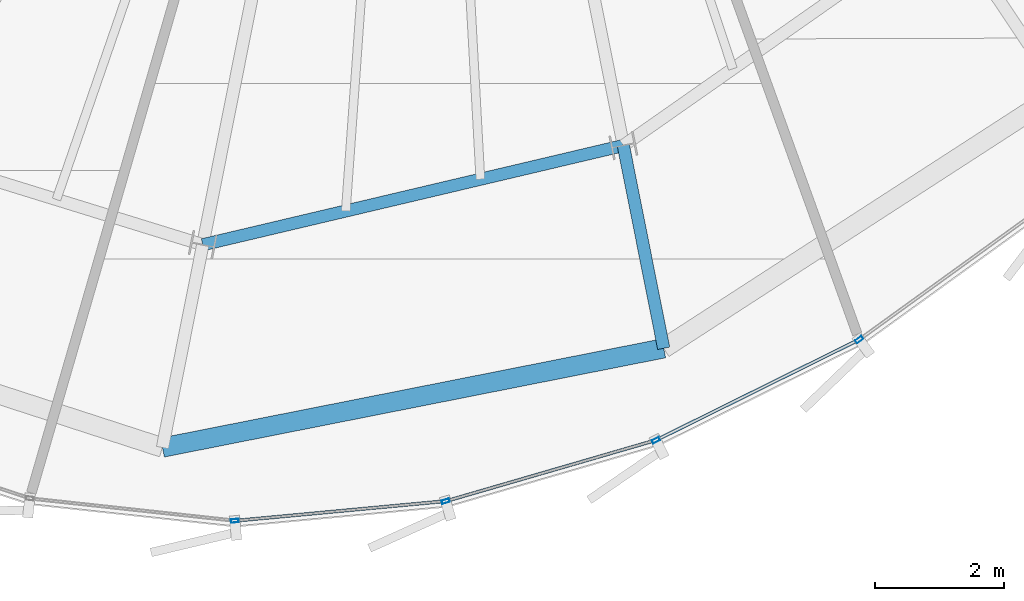
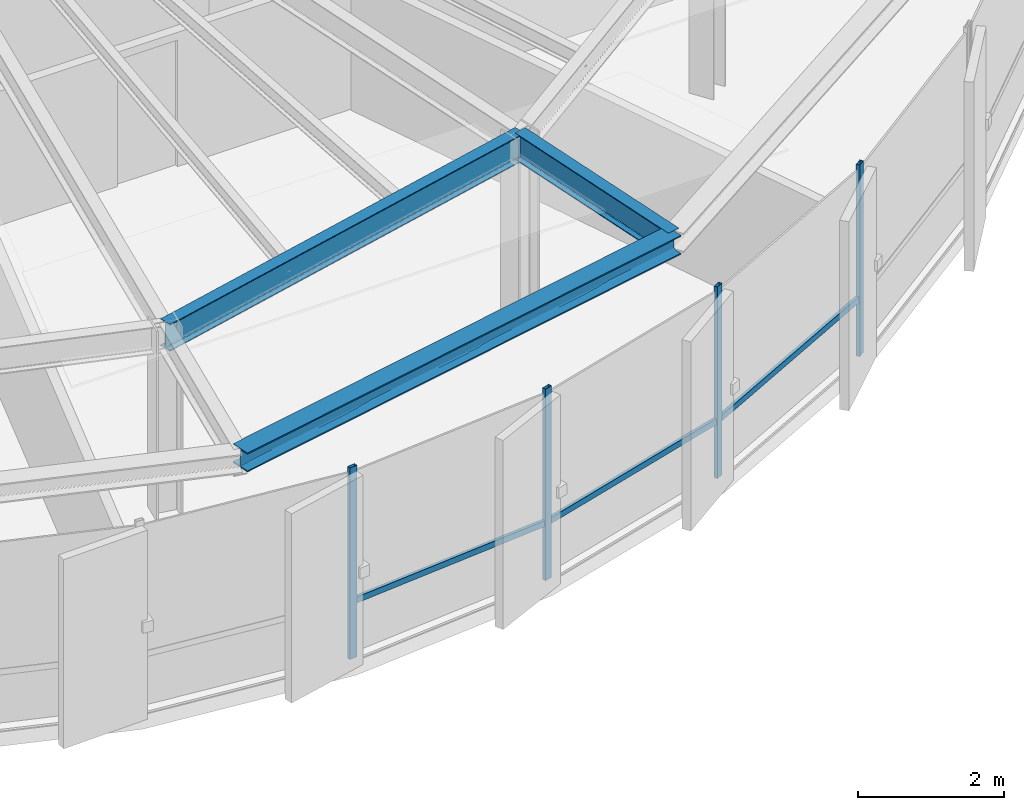
# One storey, part 6 of 30: 7 members, 3 beams, 1 element without a shape of its own.
"""IFC4 building model written with IfcOpenShell, lengths in metres."""

from ifc_helpers import new_model, si_unit, direction, frame, origin, origin_2d, place, context, subcontext, project, spatial, hollow_rectangle, i_section, extrude, source, transform, mapped, material, layer, layer_set, material_profile, profile_set, type_object, element, aggregate, save


model = new_model("IFC4")

# Units and contexts
model_context = context("Model", 3, precision=1e-05, world=origin(), true_north=direction((0.0, 1.0)))
body_context = subcontext(model_context, "Body", "Model", "MODEL_VIEW")
ifc_project = project(units=[si_unit("LENGTHUNIT", "METRE"), si_unit("AREAUNIT", "SQUARE_METRE"), si_unit("VOLUMEUNIT", "CUBIC_METRE"), si_unit("PLANEANGLEUNIT", "RADIAN"), si_unit("MASSUNIT", "GRAM", prefix="KILO"), si_unit("THERMODYNAMICTEMPERATUREUNIT", "KELVIN")], contexts=[model_context])

# Site, building, storey
site_placement = place(None, origin())
site = spatial("IfcSite", under=ifc_project, at=site_placement, CompositionType="ELEMENT")
building_placement = place(site_placement, origin())
building = spatial("IfcBuilding", under=site, at=building_placement, Name="Kethvar Cultural Tower", CompositionType="ELEMENT")
storey_placement = place(building_placement, frame((0.0, 0.0, 297.39990234375)))
storey = spatial("IfcBuildingStorey", under=building, at=storey_placement, Name="L79", CompositionType="ELEMENT", Elevation=297.39990234375)

# Beams
ifc_material_1 = material(Name="Steel S355J2", Category="steel")
ifc_material_profile_1 = material_profile(ifc_material_1, i_section(OverallWidth=0.18994140625, OverallDepth=0.449951171875, WebThickness=0.009521484375, FlangeThickness=0.0146484375, FilletRadius=0.02099609375, at=origin_2d()), Name="Steel S355J2 — IPE450")
ifc_profile_set_1 = profile_set([ifc_material_profile_1], Name="Steel S355J2 — IPE450")
beam_type_1 = type_object("IfcBeamType", Name="BM-IPE450", PredefinedType="BEAM", material=ifc_profile_set_1)
shared_shape_1 = source(origin(), body_context, "Body", "SweptSolid", [
    extrude(i_section(OverallWidth=0.18994140625, OverallDepth=0.449951171875, WebThickness=0.009521484375, FlangeThickness=0.0146484375, FilletRadius=0.02099609375, at=origin_2d()), origin(), (0.0, 0.0, 1.0), 3.199951171875),
])
beam_1_placement = place(storey_placement, frame((49.901611328125, 12.206787109375, 2.983154296875), z_axis=(0.195088965533, -0.980785550224, 0.0), x_axis=(0.980785550224, 0.195088965533, 0.0)))
element("IfcBeam", 1, at=beam_1_placement, inside=storey, type_object=beam_type_1, Name="L79 Perimeter Cantilever Beam RC-13", PredefinedType="BEAM", context=body_context, shape_type="MappedRepresentation", body=[
    mapped(shared_shape_1, transform((0.0, 0.0, 0.0), scale=1.0)),
])
shared_shape_2 = source(origin(), body_context, "Body", "SweptSolid", [
    extrude(i_section(OverallWidth=0.18994140625, OverallDepth=0.449951171875, WebThickness=0.009521484375, FlangeThickness=0.0146484375, FilletRadius=0.02099609375, at=origin_2d()), origin(), (0.0, 0.0, 1.0), 6.6875),
])
beam_2_placement = place(storey_placement, frame((43.392822265625, 10.67138671875, 2.983154296875), z_axis=(0.973286301494, 0.22959480683, 0.0), x_axis=(-0.22959480683, 0.973286301494, 0.0)))
element("IfcBeam", 2, at=beam_2_placement, inside=storey, type_object=beam_type_1, Name="L79 Column Ring Tie Beam CR-12", PredefinedType="BEAM", context=body_context, shape_type="MappedRepresentation", body=[
    mapped(shared_shape_2, transform((0.0, 0.0, 0.0), scale=1.0)),
])
ifc_material_profile_2 = material_profile(ifc_material_1, i_section(OverallWidth=0.300048828125, OverallDepth=0.320068359375, WebThickness=0.011474609375, FlangeThickness=0.0205078125, FilletRadius=0.027099609375, at=origin_2d()), Name="Steel S355J2 — HEB320")
ifc_profile_set_2 = profile_set([ifc_material_profile_2], Name="Steel S355J2 — HEB320")
beam_type_2 = type_object("IfcBeamType", Name="BM-SP320", PredefinedType="SPANDREL", material=ifc_profile_set_2)
shared_shape_3 = source(origin(), body_context, "Body", "SweptSolid", [
    extrude(i_section(OverallWidth=0.300048828125, OverallDepth=0.320068359375, WebThickness=0.011474609375, FlangeThickness=0.0205078125, FilletRadius=0.027099609375, at=origin_2d()), origin(), (0.0, 0.0, 1.0), 7.907958984375),
])
beam_3_placement = place(storey_placement, frame((42.7685546875, 7.53271484375, 3.048095703125), z_axis=(0.980963515828, 0.194192122948, 0.0), x_axis=(-0.194192122948, 0.980963515828, 0.0)))
element("IfcBeam", 3, at=beam_3_placement, inside=storey, type_object=beam_type_2, Name="L79 Perimeter Spandrel Beam SP-12", PredefinedType="SPANDREL", context=body_context, shape_type="MappedRepresentation", body=[
    mapped(shared_shape_3, transform((0.0, 0.0, 0.0), scale=1.0)),
])

# Curtain wall, members
ifc_material_2 = material(Name="Aluminium 6063-T6", Category="aluminium")
ifc_layer = layer(ifc_material_2, 0.179931640625, Name="Aluminium 6063-T6", Category="aluminium")
ifc_layer_set = layer_set([ifc_layer], Name="Aluminium 6063-T6 (180 mm)")
curtain_wall_type = type_object("IfcCurtainWallType", Name="CW-SYS-05-Z56", PredefinedType="NOTDEFINED", material=ifc_layer_set)
curtain_wall_placement = place(storey_placement, origin())
curtain_wall = element("IfcCurtainWall", 4, at=curtain_wall_placement, inside=storey, type_object=curtain_wall_type, Name="L79 Curtain Wall Run 04", PredefinedType="NOTDEFINED")
ifc_material_profile_3 = material_profile(ifc_material_2, hollow_rectangle(XDim=0.054931640625, YDim=0.1201171875, WallThickness=0.00390625, at=origin_2d()), Name="Aluminium 6063-T6 — RHS120x55x4")
ifc_profile_set_3 = profile_set([ifc_material_profile_3], Name="Aluminium 6063-T6 — RHS120x55x4")
member_type_1 = type_object("IfcMemberType", Name="CW-SYS-05-Z56-MUL", PredefinedType="MULLION", material=ifc_profile_set_3)
shared_shape_4 = source(origin(), body_context, "Body", "SweptSolid", [
    extrude(hollow_rectangle(XDim=0.054931640625, YDim=0.1201171875, WallThickness=0.00390625, at=origin_2d()), origin(), (0.0, 0.0, 1.0), 3.210205078125),
])
member_1_placement = place(storey_placement, frame((43.888916015625, 6.39892578125, 0.0), z_axis=(0.0, 0.0, 1.0), x_axis=(-0.092926690593, 0.995672953422, 0.0)))
member_1 = element("IfcMember", 5, at=member_1_placement, type_object=member_type_1, Name="CW-L79-R04 Mullion 3", PredefinedType="MULLION", context=body_context, shape_type="MappedRepresentation", body=[
    mapped(shared_shape_4, transform((0.0, 0.0, 0.0), scale=1.0)),
])
member_2_placement = place(storey_placement, frame((47.15234375, 6.70166015625, 0.0), z_axis=(0.0, 0.0, 1.0), x_axis=(-0.279024626442, 0.960283946465, 0.0)))
member_2 = element("IfcMember", 6, at=member_2_placement, type_object=member_type_1, Name="CW-L79-R04 Mullion 4", PredefinedType="MULLION", context=body_context, shape_type="MappedRepresentation", body=[
    mapped(shared_shape_4, transform((0.0, 0.0, 0.0), scale=1.0)),
])
member_3_placement = place(storey_placement, frame((50.406494140625, 7.6455078125, 0.0), z_axis=(0.0, 0.0, 1.0), x_axis=(-0.443962829898, 0.896045202916, 0.0)))
member_3 = element("IfcMember", 7, at=member_3_placement, type_object=member_type_1, Name="CW-L79-R04 Mullion 5", PredefinedType="MULLION", context=body_context, shape_type="MappedRepresentation", body=[
    mapped(shared_shape_4, transform((0.0, 0.0, 0.0), scale=1.0)),
])
member_4_placement = place(storey_placement, frame((53.552001953125, 9.20263671875, 0.0), z_axis=(0.0, 0.0, 1.0), x_axis=(-0.585580354739, 0.810614364629, 0.0)))
member_4 = element("IfcMember", 8, at=member_4_placement, type_object=member_type_1, Name="CW-L79-R04 Mullion 6", PredefinedType="MULLION", context=body_context, shape_type="MappedRepresentation", body=[
    mapped(shared_shape_4, transform((0.0, 0.0, 0.0), scale=1.0)),
])
ifc_material_profile_4 = material_profile(ifc_material_2, hollow_rectangle(XDim=0.050048828125, YDim=0.10009765625, WallThickness=0.00390625, at=origin_2d()), Name="Aluminium 6063-T6 — RHS100x50x4")
ifc_profile_set_4 = profile_set([ifc_material_profile_4], Name="Aluminium 6063-T6 — RHS100x50x4")
member_type_2 = type_object("IfcMemberType", Name="CW-SYS-05-Z56-TRN", PredefinedType="USERDEFINED", material=ifc_profile_set_4)
shared_shape_5 = source(origin(), body_context, "Body", "SweptSolid", [
    extrude(hollow_rectangle(XDim=0.050048828125, YDim=0.10009765625, WallThickness=0.00390625, at=origin_2d()), origin(), (0.0, 0.0, 1.0), 3.447021484375),
])
member_5_placement = place(storey_placement, frame((50.44189453125, 7.6630859375, 0.9501953125), z_axis=(0.89602213374, 0.444009387117, 0.0), x_axis=(-0.444009387117, 0.89602213374, 0.0)))
member_5 = element("IfcMember", 9, at=member_5_placement, type_object=member_type_2, Name="CW-L79-R04 Transom 5", ObjectType="TRANSOM", PredefinedType="USERDEFINED", context=body_context, shape_type="MappedRepresentation", body=[
    mapped(shared_shape_5, transform((0.0, 0.0, 0.0), scale=1.0)),
])
shared_shape_6 = source(origin(), body_context, "Body", "SweptSolid", [
    extrude(hollow_rectangle(XDim=0.050048828125, YDim=0.10009765625, WallThickness=0.00390625, at=origin_2d()), origin(), (0.0, 0.0, 1.0), 3.32666015625),
])
member_6_placement = place(storey_placement, frame((47.1904296875, 6.712890625, 0.9501953125), z_axis=(0.960284717886, 0.279021971525, 0.0), x_axis=(-0.279021971525, 0.960284717886, 0.0)))
member_6 = element("IfcMember", 10, at=member_6_placement, type_object=member_type_2, Name="CW-L79-R04 Transom 4", ObjectType="TRANSOM", PredefinedType="USERDEFINED", context=body_context, shape_type="MappedRepresentation", body=[
    mapped(shared_shape_6, transform((0.0, 0.0, 0.0), scale=1.0)),
])
shared_shape_7 = source(origin(), body_context, "Body", "SweptSolid", [
    extrude(hollow_rectangle(XDim=0.050048828125, YDim=0.10009765625, WallThickness=0.00390625, at=origin_2d()), origin(), (0.0, 0.0, 1.0), 3.21728515625),
])
member_7_placement = place(storey_placement, frame((43.92822265625, 6.402587890625, 0.9501953125), z_axis=(0.995670074044, 0.092957536827, 0.0), x_axis=(-0.092957536827, 0.995670074044, 0.0)))
member_7 = element("IfcMember", 11, at=member_7_placement, type_object=member_type_2, Name="CW-L79-R04 Transom 3", ObjectType="TRANSOM", PredefinedType="USERDEFINED", context=body_context, shape_type="MappedRepresentation", body=[
    mapped(shared_shape_7, transform((0.0, 0.0, 0.0), scale=1.0)),
])
aggregate(curtain_wall, [member_1, member_2, member_3, member_4, member_7, member_6, member_5])

save(model, "model.ifc")
